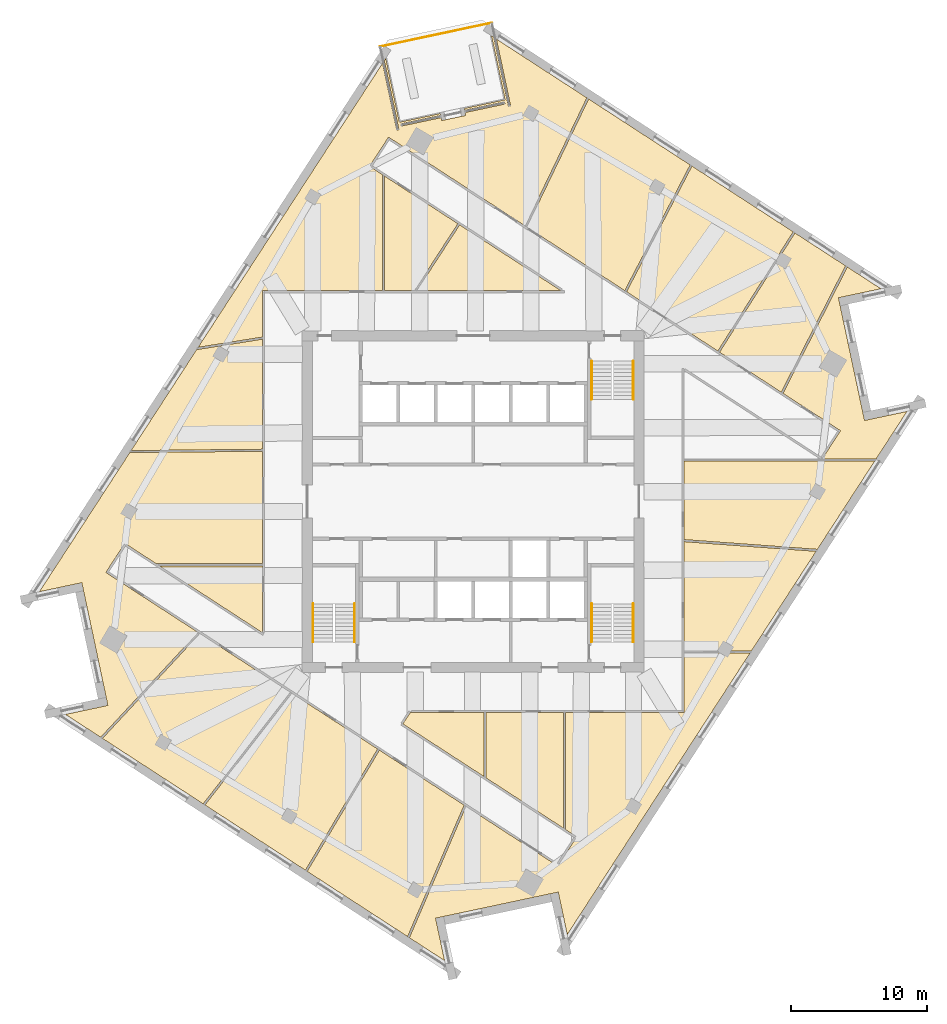
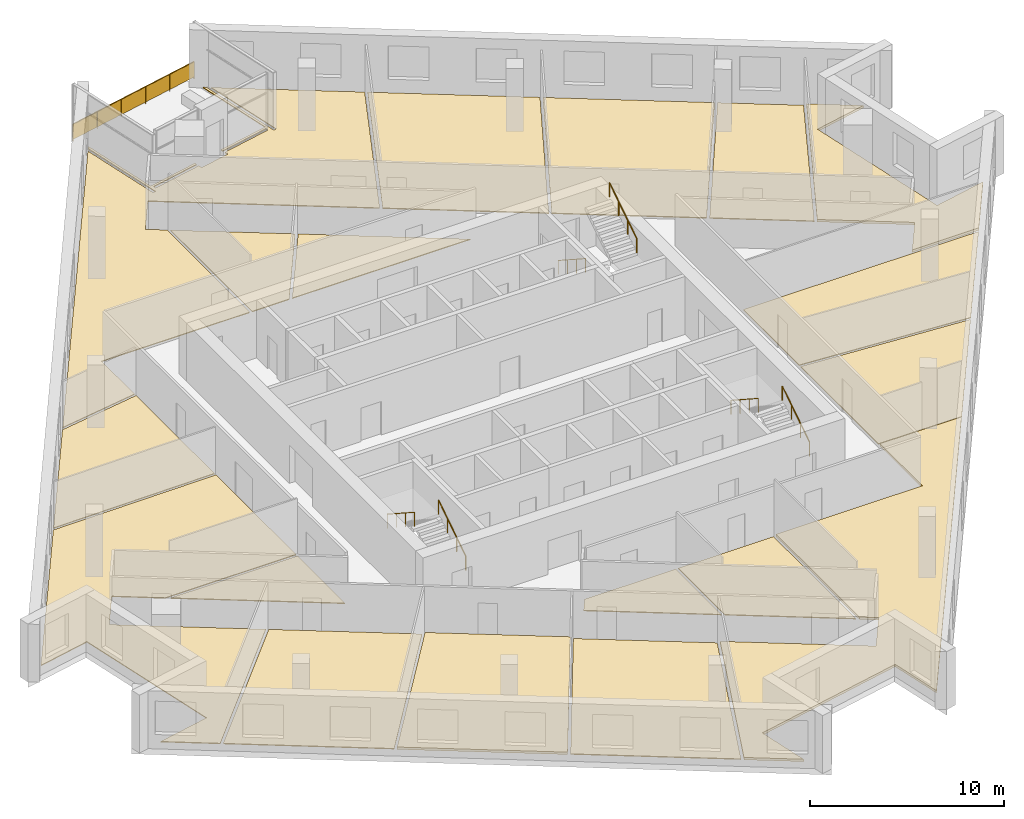
# One storey, part 11 of 12: 18 coverings, 7 railings.
"""IFC4 building model written with IfcOpenShell, lengths in metres."""

from ifc_helpers import new_model, si_unit, direction, frame, origin, origin_2d, place, context, subcontext, project, spatial, polyline, rectangle, circle, outline, extrude, material, layer, layer_set, type_object, element, save


model = new_model("IFC4")

# Units and contexts
model_context = context("Model", 3, precision=1e-05, world=origin(), true_north=direction((0.0, 1.0)))
body_context = subcontext(model_context, "Body", "Model", "MODEL_VIEW")
ifc_project = project(units=[si_unit("LENGTHUNIT", "METRE"), si_unit("AREAUNIT", "SQUARE_METRE"), si_unit("VOLUMEUNIT", "CUBIC_METRE"), si_unit("PLANEANGLEUNIT", "RADIAN"), si_unit("MASSUNIT", "GRAM", prefix="KILO")], contexts=[model_context])

# Site, building, storey
site_placement = place(None, origin())
site = spatial("IfcSite", under=ifc_project, at=site_placement, CompositionType="ELEMENT")
building_placement = place(site_placement, origin())
building = spatial("IfcBuilding", under=site, at=building_placement, Name="Dilmun Exchange Tower", CompositionType="ELEMENT")
storey_placement = place(building_placement, frame((0.0, 0.0, 254.89990234375)))
storey = spatial("IfcBuildingStorey", under=building, at=storey_placement, Name="L60", CompositionType="ELEMENT", Elevation=254.89990234375)

# Coverings
ifc_material_1 = material(Name="Carpet floor finish 50")
ifc_layer_1 = layer(ifc_material_1, 0.050048828125)
ifc_layer_set_1 = layer_set([ifc_layer_1], Name="Carpet floor finish 50")
covering_type_1 = type_object("IfcCoveringType", Name="Carpet floor finish 50", PredefinedType="FLOORING", material=ifc_layer_set_1)
covering_1_placement = place(storey_placement, origin())
element("IfcCovering", 1, at=covering_1_placement, inside=storey, type_object=covering_type_1, Name="Carpet floor finish 50 Regulator office 1", PredefinedType="FLOORING", context=body_context, shape_type="SweptSolid", body=[
    extrude(outline(polyline([(-15.47509765625, 3.6923828125), (-15.47509765625, -4.56201171875), (-23.261474609375, -4.56201171875), (-25.568603515625, -3.063720703125), (-26.95751953125, -5.202392578125), (-20.185546875, -9.60009765625), (-27.33740234375, -17.2998046875), (-29.924560546875, -15.619873046875), (-26.81201171875, -14.958251953125), (-26.811767578125, -14.958251953125), (-26.8115234375, -14.9580078125), (-26.8115234375, -14.9580078125), (-26.811279296875, -14.9580078125), (-26.81103515625, -14.957763671875), (-26.81103515625, -14.95751953125), (-26.810791015625, -14.95751953125), (-26.810791015625, -14.957275390625), (-26.810791015625, -14.957275390625), (-26.810546875, -14.95703125), (-26.810546875, -14.956787109375), (-26.810546875, -14.95654296875), (-26.810302734375, -14.956298828125), (-26.810302734375, -14.956298828125), (-26.810302734375, -14.9560546875), (-26.810546875, -14.955810546875), (-26.935302734375, -14.369140625), (-26.935302734375, -14.369140625), (-26.935302734375, -14.368896484375), (-28.598388671875, -6.543701171875), (-28.598388671875, -6.54345703125), (-28.5986328125, -6.543212890625), (-28.5986328125, -6.543212890625), (-28.723388671875, -5.956787109375), (-28.723388671875, -5.956787109375), (-28.723388671875, -5.95654296875), (-28.723388671875, -5.956298828125), (-28.7236328125, -5.9560546875), (-28.7236328125, -5.9560546875), (-28.723876953125, -5.955810546875), (-28.72412109375, -5.955810546875), (-28.72412109375, -5.95556640625), (-28.724365234375, -5.95556640625), (-28.724609375, -5.955322265625), (-28.724609375, -5.955322265625), (-28.724853515625, -5.955322265625), (-28.72509765625, -5.955322265625), (-28.725341796875, -5.955322265625), (-28.7255859375, -5.955322265625), (-28.7255859375, -5.955322265625), (-31.83837890625, -6.616943359375), (-25.206298828125, 3.595458984375), (-15.47509765625, 3.6923828125)])), origin(), (0.0, 0.0, 1.0), 0.050048828125),
])
covering_2_placement = place(storey_placement, origin())
element("IfcCovering", 2, at=covering_2_placement, inside=storey, type_object=covering_type_1, Name="Carpet floor finish 50 Supervision hall", PredefinedType="FLOORING", context=body_context, shape_type="SweptSolid", body=[
    extrude(outline(polyline([(-13.423583984375, -13.9912109375), (-19.814208984375, -22.185546875), (-27.209716796875, -17.3828125), (-20.057861328125, -9.68310546875), (-13.423583984375, -13.9912109375)])), origin(), (0.0, 0.0, 1.0), 0.050048828125),
])
covering_3_placement = place(storey_placement, origin())
element("IfcCovering", 3, at=covering_3_placement, inside=storey, type_object=covering_type_1, Name="Carpet floor finish 50 Training room 1", PredefinedType="FLOORING", context=body_context, shape_type="SweptSolid", body=[
    extrude(outline(polyline([(-15.47509765625, 3.84228515625), (-25.108154296875, 3.74658203125), (-20.299072265625, 11.15185546875), (-15.47509765625, 11.92041015625), (-15.47509765625, 3.84228515625)])), origin(), (0.0, 0.0, 1.0), 0.050048828125),
])
covering_4_placement = place(storey_placement, origin())
element("IfcCovering", 4, at=covering_4_placement, inside=storey, type_object=covering_type_1, Name="Carpet floor finish 50 Meeting room 1", PredefinedType="FLOORING", context=body_context, shape_type="SweptSolid", body=[
    extrude(outline(polyline([(-15.47509765625, -4.712158203125), (-15.47509765625, -9.61865234375), (-23.030517578125, -4.712158203125), (-15.47509765625, -4.712158203125)])), origin(), (0.0, 0.0, 1.0), 0.050048828125),
])
covering_5_placement = place(storey_placement, origin())
element("IfcCovering", 5, at=covering_5_placement, inside=storey, type_object=covering_type_1, Name="Carpet floor finish 50 Hearing room", PredefinedType="FLOORING", context=body_context, shape_type="SweptSolid", body=[
    extrude(outline(polyline([(-6.882568359375, -18.2392578125), (-0.660888671875, -22.279541015625), (-4.811279296875, -31.928466796875), (-12.1845703125, -27.140380859375), (-6.882568359375, -18.2392578125)])), origin(), (0.0, 0.0, 1.0), 0.050048828125),
])
covering_6_placement = place(storey_placement, origin())
element("IfcCovering", 6, at=covering_6_placement, inside=storey, type_object=covering_type_1, Name="Carpet floor finish 50 Garden lounge", PredefinedType="FLOORING", context=body_context, shape_type="SweptSolid", body=[
    extrude(outline(polyline([(-2.42138671875, 28.47998046875), (-2.3916015625, 28.340087890625), (-5.3134765625, 27.718994140625), (-5.313720703125, 27.718994140625), (-5.31396484375, 27.718994140625), (-5.314208984375, 27.718994140625), (-5.314208984375, 27.71875), (-5.314453125, 27.71875), (-5.314697265625, 27.718505859375), (-5.314697265625, 27.718505859375), (-5.314697265625, 27.71826171875), (-5.31494140625, 27.718017578125), (-5.31494140625, 27.718017578125), (-5.315185546875, 27.7177734375), (-5.315185546875, 27.717529296875), (-5.315185546875, 27.71728515625), (-5.315185546875, 27.717041015625), (-5.315185546875, 27.716796875), (-5.315185546875, 27.716796875), (-5.28173828125, 27.560302734375), (-5.28173828125, 27.56005859375), (-5.28173828125, 27.559814453125), (-5.281494140625, 27.559814453125), (-5.281494140625, 27.5595703125), (-5.281494140625, 27.559326171875), (-5.28125, 27.55908203125), (-5.281005859375, 27.55908203125), (-5.281005859375, 27.55908203125), (-5.28076171875, 27.558837890625), (-5.280517578125, 27.558837890625), (-5.280517578125, 27.55859375), (-5.2802734375, 27.55859375), (-5.280029296875, 27.55859375), (-5.27978515625, 27.55859375), (-5.279541015625, 27.55859375), (-5.279541015625, 27.55859375), (-2.357666015625, 28.1796875), (-2.312255859375, 27.96630859375), (-2.312255859375, 27.96630859375), (-2.312255859375, 27.966064453125), (-2.31201171875, 27.9658203125), (-2.31201171875, 27.9658203125), (-2.311767578125, 27.965576171875), (-2.311767578125, 27.96533203125), (-2.3115234375, 27.96533203125), (-2.311279296875, 27.965087890625), (-2.311279296875, 27.965087890625), (-2.31103515625, 27.965087890625), (-2.310791015625, 27.96484375), (-2.310791015625, 27.96484375), (-2.310546875, 27.96484375), (-2.310302734375, 27.96484375), (-2.31005859375, 27.96484375), (-2.309814453125, 27.96484375), (-0.54931640625, 28.339111328125), (-0.549072265625, 28.33935546875), (-0.548828125, 28.33935546875), (-0.548583984375, 28.33935546875), (-0.548583984375, 28.339599609375), (-0.54833984375, 28.339599609375), (-0.54833984375, 28.33984375), (-0.548095703125, 28.33984375), (-0.548095703125, 28.340087890625), (-0.5478515625, 28.340087890625), (-0.5478515625, 28.34033203125), (-0.5478515625, 28.340576171875), (-0.547607421875, 28.3408203125), (-0.547607421875, 28.341064453125), (-0.547607421875, 28.34130859375), (-0.547607421875, 28.34130859375), (-0.5478515625, 28.341552734375), (-0.593017578125, 28.5546875), (2.32861328125, 29.17578125), (2.328857421875, 29.17578125), (2.3291015625, 29.17578125), (2.329345703125, 29.176025390625), (2.32958984375, 29.176025390625), (2.32958984375, 29.17626953125), (2.329833984375, 29.176513671875), (2.329833984375, 29.176513671875), (2.330078125, 29.1767578125), (2.330078125, 29.1767578125), (2.330078125, 29.177001953125), (2.330322265625, 29.17724609375), (2.330322265625, 29.177490234375), (2.330322265625, 29.177490234375), (2.330322265625, 29.177734375), (2.330322265625, 29.177978515625), (2.330322265625, 29.17822265625), (2.297119140625, 29.334716796875), (2.297119140625, 29.3349609375), (2.296875, 29.3349609375), (2.296875, 29.335205078125), (2.296630859375, 29.33544921875), (2.296630859375, 29.33544921875), (2.29638671875, 29.335693359375), (2.29638671875, 29.335693359375), (2.296142578125, 29.3359375), (2.2958984375, 29.3359375), (2.2958984375, 29.336181640625), (2.295654296875, 29.336181640625), (2.29541015625, 29.336181640625), (2.295166015625, 29.336181640625), (2.294921875, 29.336181640625), (2.294921875, 29.336181640625), (2.294677734375, 29.336181640625), (-0.627197265625, 28.715087890625), (-0.656982421875, 28.85498046875), (2.33837890625, 29.49169921875), (1.34130859375, 34.181884765625), (1.510986328125, 34.072021484375), (2.58740234375, 29.008056640625), (2.58740234375, 29.0078125), (2.58740234375, 29.007568359375), (2.58740234375, 29.00732421875), (2.587646484375, 29.007080078125), (2.587646484375, 29.007080078125), (2.587890625, 29.0068359375), (2.587890625, 29.0068359375), (2.588134765625, 29.006591796875), (2.58837890625, 29.006591796875), (2.58837890625, 29.006591796875), (2.588623046875, 29.00634765625), (2.5888671875, 29.00634765625), (2.589111328125, 29.00634765625), (2.58935546875, 29.00634765625), (2.589599609375, 29.00634765625), (2.589599609375, 29.00634765625), (2.74609375, 29.039794921875), (2.746337890625, 29.039794921875), (2.74658203125, 29.039794921875), (2.74658203125, 29.039794921875), (2.746826171875, 29.0400390625), (2.7470703125, 29.0400390625), (2.747314453125, 29.040283203125), (2.747314453125, 29.040283203125), (2.747314453125, 29.04052734375), (2.74755859375, 29.040771484375), (2.74755859375, 29.041015625), (2.747802734375, 29.041015625), (2.747802734375, 29.041259765625), (2.747802734375, 29.04150390625), (2.747802734375, 29.041748046875), (2.747802734375, 29.0419921875), (2.747802734375, 29.0419921875), (1.705322265625, 33.945556640625), (8.3466796875, 29.6328125), (3.814208984375, 20.231689453125), (-6.2119140625, 26.742919921875), (-7.600830078125, 24.604248046875), (-6.6640625, 23.99609375), (-6.6640625, 15.47509765625), (-15.47509765625, 15.47509765625), (-15.47509765625, 12.072265625), (-20.18896484375, 11.3212890625), (-6.650146484375, 32.16943359375), (-5.60791015625, 27.26611328125), (-5.60791015625, 27.265869140625), (-5.607666015625, 27.265625), (-5.607666015625, 27.265380859375), (-5.607421875, 27.265380859375), (-5.607421875, 27.26513671875), (-5.607177734375, 27.264892578125), (-5.607177734375, 27.264892578125), (-5.60693359375, 27.264892578125), (-5.606689453125, 27.2646484375), (-5.606689453125, 27.2646484375), (-5.6064453125, 27.264404296875), (-5.606201171875, 27.264404296875), (-5.60595703125, 27.264404296875), (-5.605712890625, 27.264404296875), (-5.605712890625, 27.264404296875), (-5.60546875, 27.264404296875), (-5.448974609375, 27.2978515625), (-5.44873046875, 27.2978515625), (-5.448486328125, 27.2978515625), (-5.448486328125, 27.298095703125), (-5.4482421875, 27.298095703125), (-5.447998046875, 27.298095703125), (-5.447998046875, 27.29833984375), (-5.44775390625, 27.298583984375), (-5.44775390625, 27.298583984375), (-5.447509765625, 27.298828125), (-5.447509765625, 27.299072265625), (-5.447509765625, 27.29931640625), (-5.447509765625, 27.29931640625), (-5.447509765625, 27.299560546875), (-5.447265625, 27.2998046875), (-5.447509765625, 27.300048828125), (-5.447509765625, 27.300048828125), (-6.523681640625, 32.364013671875), (-6.41357421875, 32.53369140625), (-5.41650390625, 27.843505859375), (-2.42138671875, 28.47998046875)])), origin(), (0.0, 0.0, 1.0), 0.050048828125),
])
covering_7_placement = place(storey_placement, origin())
element("IfcCovering", 7, at=covering_7_placement, inside=storey, type_object=covering_type_1, Name="Carpet floor finish 50 Training room 2", PredefinedType="FLOORING", context=body_context, shape_type="SweptSolid", body=[
    extrude(outline(polyline([(-6.51416015625, 15.47509765625), (-6.51416015625, 23.898681640625), (-1.11962890625, 20.3955078125), (-4.31494140625, 15.47509765625), (-6.51416015625, 15.47509765625)])), origin(), (0.0, 0.0, 1.0), 0.050048828125),
])
covering_8_placement = place(storey_placement, origin())
element("IfcCovering", 8, at=covering_8_placement, inside=storey, type_object=covering_type_1, Name="Carpet floor finish 50 Meeting room 2", PredefinedType="FLOORING", context=body_context, shape_type="SweptSolid", body=[
    extrude(outline(polyline([(0.802490234375, -20.189208984375), (-5.1611328125, -16.316650390625), (-4.61474609375, -15.47509765625), (0.802490234375, -15.47509765625), (0.802490234375, -20.189208984375)])), origin(), (0.0, 0.0, 1.0), 0.050048828125),
])
covering_9_placement = place(storey_placement, origin())
element("IfcCovering", 9, at=covering_9_placement, inside=storey, type_object=covering_type_1, Name="Carpet floor finish 50 Regulator office 2", PredefinedType="FLOORING", context=body_context, shape_type="SweptSolid", body=[
    extrude(outline(polyline([(6.6220703125, -15.47509765625), (6.6220703125, -23.96875), (0.952392578125, -20.286865234375), (0.952392578125, -15.47509765625), (6.6220703125, -15.47509765625)])), origin(), (0.0, 0.0, 1.0), 0.050048828125),
])
covering_10_placement = place(storey_placement, origin())
element("IfcCovering", 10, at=covering_10_placement, inside=storey, type_object=covering_type_1, Name="Carpet floor finish 50 Regulator office 3", PredefinedType="FLOORING", context=body_context, shape_type="SweptSolid", body=[
    extrude(outline(polyline([(3.94091796875, 20.1494140625), (8.473388671875, 29.55029296875), (15.930419921875, 24.707763671875), (11.12841796875, 15.48193359375), (3.94091796875, 20.1494140625)])), origin(), (0.0, 0.0, 1.0), 0.050048828125),
])
covering_11_placement = place(storey_placement, origin())
element("IfcCovering", 11, at=covering_11_placement, inside=storey, type_object=covering_type_1, Name="Carpet floor finish 50 Research library", PredefinedType="FLOORING", context=body_context, shape_type="SweptSolid", body=[
    extrude(outline(polyline([(11.254638671875, 15.39990234375), (16.056640625, 24.625732421875), (23.48779296875, 19.7998046875), (17.95751953125, 11.047119140625), (11.254638671875, 15.39990234375)])), origin(), (0.0, 0.0, 1.0), 0.050048828125),
])
covering_12_placement = place(storey_placement, origin())
element("IfcCovering", 12, at=covering_12_placement, inside=storey, type_object=covering_type_1, Name="Carpet floor finish 50 Regulator office 4", PredefinedType="FLOORING", context=body_context, shape_type="SweptSolid", body=[
    extrude(outline(polyline([(25.170654296875, -3.650146484375), (20.41455078125, -10.97412109375), (15.47509765625, -10.95361328125), (15.47509765625, -2.94091796875), (25.170654296875, -3.650146484375)])), origin(), (0.0, 0.0, 1.0), 0.050048828125),
])
covering_13_placement = place(storey_placement, origin())
element("IfcCovering", 13, at=covering_13_placement, inside=storey, type_object=covering_type_1, Name="Carpet floor finish 50 Meeting room 3", PredefinedType="FLOORING", context=body_context, shape_type="SweptSolid", body=[
    extrude(outline(polyline([(29.474365234375, 2.976806640625), (25.263916015625, -3.506591796875), (15.47509765625, -2.79052734375), (15.47509765625, 2.976806640625), (29.474365234375, 2.976806640625)])), origin(), (0.0, 0.0, 1.0), 0.050048828125),
])
covering_14_placement = place(storey_placement, origin())
element("IfcCovering", 14, at=covering_14_placement, inside=storey, type_object=covering_type_1, Name="Carpet floor finish 50 Training room 3", PredefinedType="FLOORING", context=body_context, shape_type="SweptSolid", body=[
    extrude(outline(polyline([(18.08349609375, 10.96533203125), (23.613525390625, 19.71826171875), (27.33349609375, 17.302490234375), (22.61279296875, 8.023681640625), (18.08349609375, 10.96533203125)])), origin(), (0.0, 0.0, 1.0), 0.050048828125),
])
ifc_material_2 = material(Name="Raised access floor 150")
ifc_layer_2 = layer(ifc_material_2, 0.14990234375)
ifc_layer_set_2 = layer_set([ifc_layer_2], Name="Raised access floor 150")
covering_type_2 = type_object("IfcCoveringType", Name="Raised access floor 150", PredefinedType="FLOORING", material=ifc_layer_set_2)
covering_15_placement = place(storey_placement, origin())
element("IfcCovering", 15, at=covering_15_placement, inside=storey, type_object=covering_type_2, Name="Raised access floor 150 Analytics room 1", PredefinedType="FLOORING", context=body_context, shape_type="SweptSolid", body=[
    extrude(outline(polyline([(-13.297607421875, -14.0732421875), (-7.00830078125, -18.157470703125), (-12.310546875, -27.05859375), (-19.68798828125, -22.267578125), (-13.297607421875, -14.0732421875)])), origin(), (0.0, 0.0, 1.0), 0.150146484375),
])
covering_16_placement = place(storey_placement, origin())
element("IfcCovering", 16, at=covering_16_placement, inside=storey, type_object=covering_type_2, Name="Raised access floor 150 Analytics room 2", PredefinedType="FLOORING", context=body_context, shape_type="SweptSolid", body=[
    extrude(outline(polyline([(7.600830078125, -24.604248046875), (6.77197265625, -24.066162109375), (6.77197265625, -15.47509765625), (15.47509765625, -15.47509765625), (15.47509765625, -11.103515625), (20.3173828125, -11.123779296875), (6.90478515625, -31.777099609375), (6.243408203125, -28.664306640625), (6.243408203125, -28.664306640625), (6.2431640625, -28.6640625), (6.2431640625, -28.663818359375), (6.242919921875, -28.663818359375), (6.242919921875, -28.66357421875), (6.24267578125, -28.663330078125), (6.24267578125, -28.663330078125), (6.242431640625, -28.6630859375), (6.2421875, -28.6630859375), (6.2421875, -28.6630859375), (6.241943359375, -28.662841796875), (6.24169921875, -28.662841796875), (6.241455078125, -28.662841796875), (6.2412109375, -28.662841796875), (6.2412109375, -28.662841796875), (6.240966796875, -28.662841796875), (5.654052734375, -28.78759765625), (-2.171142578125, -30.450927734375), (-2.17138671875, -30.450927734375), (-2.17138671875, -30.450927734375), (-2.171630859375, -30.451171875), (-2.758056640625, -30.57568359375), (-2.75830078125, -30.57568359375), (-2.75830078125, -30.57568359375), (-2.758544921875, -30.575927734375), (-2.7587890625, -30.575927734375), (-2.7587890625, -30.576171875), (-2.759033203125, -30.576416015625), (-2.759033203125, -30.576416015625), (-2.75927734375, -30.57666015625), (-2.75927734375, -30.57666015625), (-2.759521484375, -30.576904296875), (-2.759521484375, -30.5771484375), (-2.759521484375, -30.577392578125), (-2.759521484375, -30.577392578125), (-2.759521484375, -30.57763671875), (-2.759521484375, -30.577880859375), (-2.759521484375, -30.578125), (-2.097900390625, -33.690673828125), (-4.68359375, -32.011474609375), (-0.533447265625, -22.3623046875), (6.2119140625, -26.742919921875), (7.600830078125, -24.604248046875)])), origin(), (0.0, 0.0, 1.0), 0.150146484375),
])
covering_17_placement = place(storey_placement, origin())
element("IfcCovering", 17, at=covering_17_placement, inside=storey, type_object=covering_type_2, Name="Raised access floor 150 Analytics room 3", PredefinedType="FLOORING", context=body_context, shape_type="SweptSolid", body=[
    extrude(outline(polyline([(26.95751953125, 5.202392578125), (22.739501953125, 7.941650390625), (27.4599609375, 17.22021484375), (29.924560546875, 15.619873046875), (26.81201171875, 14.958251953125), (26.811767578125, 14.958251953125), (26.8115234375, 14.9580078125), (26.8115234375, 14.9580078125), (26.811279296875, 14.9580078125), (26.81103515625, 14.957763671875), (26.81103515625, 14.95751953125), (26.810791015625, 14.95751953125), (26.810791015625, 14.957275390625), (26.810791015625, 14.957275390625), (26.810546875, 14.95703125), (26.810546875, 14.956787109375), (26.810546875, 14.95654296875), (26.810302734375, 14.956298828125), (26.810302734375, 14.956298828125), (26.810302734375, 14.9560546875), (26.810546875, 14.955810546875), (26.935302734375, 14.369140625), (26.935302734375, 14.369140625), (26.935302734375, 14.368896484375), (28.598388671875, 6.543701171875), (28.598388671875, 6.54345703125), (28.5986328125, 6.543212890625), (28.5986328125, 6.543212890625), (28.723388671875, 5.956787109375), (28.723388671875, 5.956787109375), (28.723388671875, 5.95654296875), (28.723388671875, 5.956298828125), (28.7236328125, 5.9560546875), (28.7236328125, 5.9560546875), (28.723876953125, 5.955810546875), (28.72412109375, 5.955810546875), (28.72412109375, 5.95556640625), (28.724365234375, 5.95556640625), (28.724609375, 5.955322265625), (28.724609375, 5.955322265625), (28.724853515625, 5.955322265625), (28.72509765625, 5.955322265625), (28.725341796875, 5.955322265625), (28.7255859375, 5.955322265625), (28.7255859375, 5.955322265625), (31.83837890625, 6.616943359375), (29.572021484375, 3.126953125), (25.609619140625, 3.126953125), (26.95751953125, 5.202392578125)])), origin(), (0.0, 0.0, 1.0), 0.150146484375),
])

# Railings
ifc_material_3 = material(Name="Stainless steel", Category="steel")
railing_type_1 = type_object("IfcRailingType", Name="Stair handrail 900", PredefinedType="HANDRAIL", material=ifc_material_3)
railing_1_placement = place(storey_placement, frame((8.699951171875, 10.300048828125, 0.181884765625)))
element("IfcRailing", 18, at=railing_1_placement, inside=storey, type_object=railing_type_1, Name="L60 ST1 stair handrail 1", PredefinedType="HANDRAIL", context=body_context, shape_type="SweptSolid", body=[
    extrude(circle(Radius=0.02392578125, at=origin_2d()), frame((0.0, 0.0, 0.8759765625), z_axis=(0.0, -0.838705829183, 0.544584733623), x_axis=(1.0, 0.0, 0.0)), (0.0, 0.0, 1.0), 3.338623046875),
    extrude(circle(Radius=0.02099609375, at=origin_2d()), origin(), (0.0, 0.0, 1.0), 0.851806640625),
    extrude(circle(Radius=0.02099609375, at=origin_2d()), frame((0.0, -0.933349609375, 0.60595703125)), (0.0, 0.0, 1.0), 0.851806640625),
    extrude(circle(Radius=0.02099609375, at=origin_2d()), frame((0.0, -1.86669921875, 1.212158203125)), (0.0, 0.0, 1.0), 0.851806640625),
    extrude(circle(Radius=0.02099609375, at=origin_2d()), frame((0.0, -2.800048828125, 1.818115234375)), (0.0, 0.0, 1.0), 0.851806640625),
])
for number, where, name in (
    (19, (11.75, 7.5, 2.181884765625), "L60 ST1 stair handrail 2"),
    (20, (-8.699951171875, -10.300048828125, 0.181884765625), "L60 ST2 stair handrail 1"),
):
    element("IfcRailing", number, at=place(storey_placement, frame(where)), inside=storey, type_object=railing_type_1, Name=name, PredefinedType="HANDRAIL", context=body_context, shape_type="SweptSolid", body=[
        extrude(circle(Radius=0.02392578125, at=origin_2d()), frame((0.0, 0.0, 0.8759765625), z_axis=(0.0, 0.838705829183, 0.544584733623), x_axis=(-1.0, 0.0, 0.0)), (0.0, 0.0, 1.0), 3.338623046875),
        extrude(circle(Radius=0.02099609375, at=origin_2d()), origin(), (0.0, 0.0, 1.0), 0.851806640625),
        extrude(circle(Radius=0.02099609375, at=origin_2d()), frame((0.0, 0.933349609375, 0.60595703125)), (0.0, 0.0, 1.0), 0.851806640625),
        extrude(circle(Radius=0.02099609375, at=origin_2d()), frame((0.0, 1.86669921875, 1.212158203125)), (0.0, 0.0, 1.0), 0.851806640625),
        extrude(circle(Radius=0.02099609375, at=origin_2d()), frame((0.0, 2.800048828125, 1.818115234375)), (0.0, 0.0, 1.0), 0.851806640625),
    ])
railing_2_placement = place(storey_placement, frame((-11.75, -7.5, 2.181884765625)))
element("IfcRailing", 21, at=railing_2_placement, inside=storey, type_object=railing_type_1, Name="L60 ST2 stair handrail 2", PredefinedType="HANDRAIL", context=body_context, shape_type="SweptSolid", body=[
    extrude(circle(Radius=0.02392578125, at=origin_2d()), frame((0.0, 0.0, 0.8759765625), z_axis=(0.0, -0.838705829183, 0.544584733623), x_axis=(1.0, 0.0, 0.0)), (0.0, 0.0, 1.0), 3.338623046875),
    extrude(circle(Radius=0.02099609375, at=origin_2d()), origin(), (0.0, 0.0, 1.0), 0.851806640625),
    extrude(circle(Radius=0.02099609375, at=origin_2d()), frame((0.0, -0.933349609375, 0.60595703125)), (0.0, 0.0, 1.0), 0.851806640625),
    extrude(circle(Radius=0.02099609375, at=origin_2d()), frame((0.0, -1.86669921875, 1.212158203125)), (0.0, 0.0, 1.0), 0.851806640625),
    extrude(circle(Radius=0.02099609375, at=origin_2d()), frame((0.0, -2.800048828125, 1.818115234375)), (0.0, 0.0, 1.0), 0.851806640625),
])
railing_3_placement = place(storey_placement, frame((11.75, -10.300048828125, 0.181884765625)))
element("IfcRailing", 22, at=railing_3_placement, inside=storey, type_object=railing_type_1, Name="L60 ST3 stair handrail 1", PredefinedType="HANDRAIL", context=body_context, shape_type="SweptSolid", body=[
    extrude(circle(Radius=0.02392578125, at=origin_2d()), frame((0.0, 0.0, 0.8759765625), z_axis=(0.0, 0.838705829183, 0.544584733623), x_axis=(-1.0, 0.0, 0.0)), (0.0, 0.0, 1.0), 3.338623046875),
    extrude(circle(Radius=0.02099609375, at=origin_2d()), origin(), (0.0, 0.0, 1.0), 0.851806640625),
    extrude(circle(Radius=0.02099609375, at=origin_2d()), frame((0.0, 0.933349609375, 0.60595703125)), (0.0, 0.0, 1.0), 0.851806640625),
    extrude(circle(Radius=0.02099609375, at=origin_2d()), frame((0.0, 1.86669921875, 1.212158203125)), (0.0, 0.0, 1.0), 0.851806640625),
    extrude(circle(Radius=0.02099609375, at=origin_2d()), frame((0.0, 2.800048828125, 1.818115234375)), (0.0, 0.0, 1.0), 0.851806640625),
])
railing_4_placement = place(storey_placement, frame((8.699951171875, -7.5, 2.181884765625)))
element("IfcRailing", 23, at=railing_4_placement, inside=storey, type_object=railing_type_1, Name="L60 ST3 stair handrail 2", PredefinedType="HANDRAIL", context=body_context, shape_type="SweptSolid", body=[
    extrude(circle(Radius=0.02392578125, at=origin_2d()), frame((0.0, 0.0, 0.8759765625), z_axis=(0.0, -0.838705829183, 0.544584733623), x_axis=(1.0, 0.0, 0.0)), (0.0, 0.0, 1.0), 3.338623046875),
    extrude(circle(Radius=0.02099609375, at=origin_2d()), origin(), (0.0, 0.0, 1.0), 0.851806640625),
    extrude(circle(Radius=0.02099609375, at=origin_2d()), frame((0.0, -0.933349609375, 0.60595703125)), (0.0, 0.0, 1.0), 0.851806640625),
    extrude(circle(Radius=0.02099609375, at=origin_2d()), frame((0.0, -1.86669921875, 1.212158203125)), (0.0, 0.0, 1.0), 0.851806640625),
    extrude(circle(Radius=0.02099609375, at=origin_2d()), frame((0.0, -2.800048828125, 1.818115234375)), (0.0, 0.0, 1.0), 0.851806640625),
])
railing_type_2 = type_object("IfcRailingType", Name="Terrace guard 1100 stainless steel", PredefinedType="GUARDRAIL", material=ifc_material_3)
railing_5_placement = place(storey_placement, frame((-6.826416015625, 33.39306640625, 0.0)))
element("IfcRailing", 24, at=railing_5_placement, inside=storey, type_object=railing_type_2, Name="Terrace guard 1", PredefinedType="GUARDRAIL", context=body_context, shape_type="SweptSolid", body=[
    extrude(circle(Radius=0.02392578125, at=origin_2d()), frame((0.0, 0.0, 1.076171875), z_axis=(0.978148185403, 0.207908940147, 0.0), x_axis=(-0.207908940147, 0.978148185403, 0.0)), (0.0, 0.0, 1.0), 8.37841796875),
    extrude(rectangle(XDim=0.011962890625, YDim=0.951904296875, at=origin_2d()), frame((0.0, 0.0, 0.576171875), z_axis=(0.978148185403, 0.207908940147, 0.0), x_axis=(-0.207908940147, 0.978148185403, 0.0)), (0.0, 0.0, 1.0), 8.37841796875),
    extrude(circle(Radius=0.02099609375, at=origin_2d()), origin(), (0.0, 0.0, 1.0), 1.052001953125),
    extrude(circle(Radius=0.02099609375, at=origin_2d()), frame((1.63916015625, 0.348388671875, 0.0)), (0.0, 0.0, 1.0), 1.052001953125),
    extrude(circle(Radius=0.02099609375, at=origin_2d()), frame((3.278076171875, 0.69677734375, 0.0)), (0.0, 0.0, 1.0), 1.052001953125),
    extrude(circle(Radius=0.02099609375, at=origin_2d()), frame((4.917236328125, 1.045166015625, 0.0)), (0.0, 0.0, 1.0), 1.052001953125),
    extrude(circle(Radius=0.02099609375, at=origin_2d()), frame((6.55615234375, 1.3935546875, 0.0)), (0.0, 0.0, 1.0), 1.052001953125),
    extrude(circle(Radius=0.02099609375, at=origin_2d()), frame((8.1953125, 1.741943359375, 0.0)), (0.0, 0.0, 1.0), 1.052001953125),
])

# Covering
ifc_material_4 = material(Name="Tile floor finish 50")
ifc_layer_3 = layer(ifc_material_4, 0.050048828125)
ifc_layer_set_3 = layer_set([ifc_layer_3], Name="Tile floor finish 50")
covering_type_3 = type_object("IfcCoveringType", Name="Tile floor finish 50", PredefinedType="FLOORING", material=ifc_layer_set_3)
covering_18_placement = place(storey_placement, origin())
element("IfcCovering", 25, at=covering_18_placement, inside=storey, type_object=covering_type_3, Name="Tile floor finish 50 Pantry", PredefinedType="FLOORING", context=body_context, shape_type="SweptSolid", body=[
    extrude(outline(polyline([(-0.993896484375, 20.313720703125), (6.45703125, 15.47509765625), (-4.135986328125, 15.47509765625), (-0.993896484375, 20.313720703125)])), origin(), (0.0, 0.0, 1.0), 0.050048828125),
])

save(model, "model.ifc")
